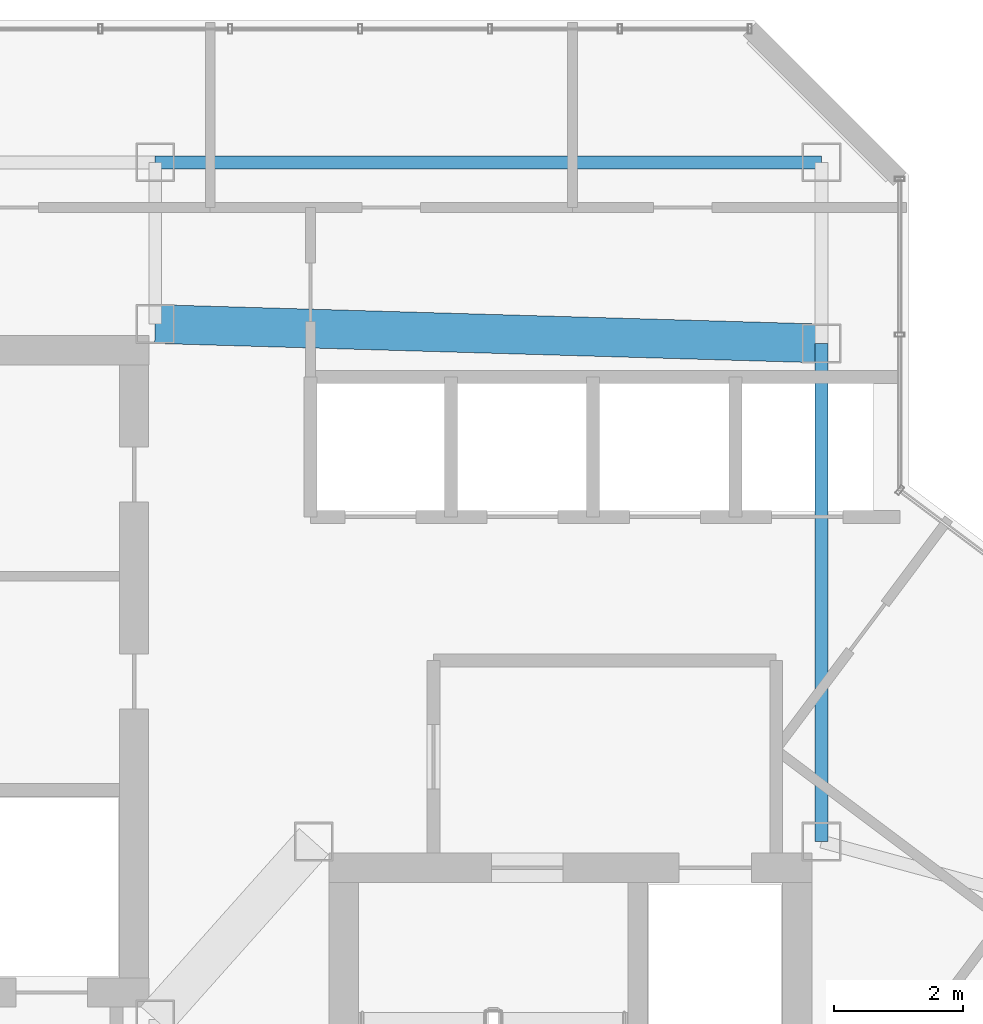
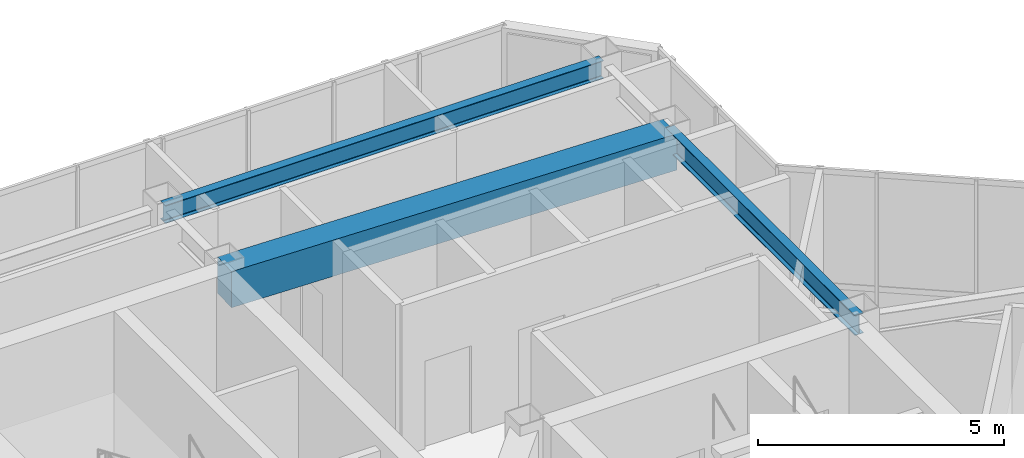
# One storey, part 19 of 31: 3 beams.
"""IFC4 building model written with IfcOpenShell, lengths in metres."""

import ifcopenshell
import ifcopenshell.guid

model = None  # the IFC model being written
_history = None  # IfcOwnerHistory: only IFC2X3 demands one
_inside = {}  # id of a spatial element -> (the spatial element, [elements in it])
_under = {}  # id of a project, library or spatial element -> (it, [spatial elements below it])
_declared = {}  # id of a project -> (the project, [libraries it declares])
_typed = {}  # id of a type object -> (the type object, [elements of that type])
_made_of = {}  # id of a material, layer set ... -> (it, [elements and type objects made of it])


def new_model(schema):
    """Start an empty IFC model of exactly this schema.

    Asked for "IFC4X3", IfcOpenShell would pick the latest addendum, in which some entities
    have other attributes; the version numbers below select the first issue.
    IFC2X3 requires an IfcOwnerHistory on every rooted entity: one is made here for all.
    """
    global model, _history
    if schema == "IFC4X3":
        model = ifcopenshell.file(schema_version=(4, 3, 0, 0))
    else:
        model = ifcopenshell.file(schema=schema)
    _inside.clear()
    _under.clear()
    _declared.clear()
    _typed.clear()
    _made_of.clear()
    _history = None
    if model.schema == "IFC2X3":
        org = make("IfcOrganization", Name="unknown")
        user = make(
            "IfcPersonAndOrganization",
            ThePerson=make("IfcPerson", FamilyName="unknown"),
            TheOrganization=org,
        )
        app = make(
            "IfcApplication",
            ApplicationDeveloper=org,
            Version="unknown",
            ApplicationFullName="unknown",
            ApplicationIdentifier="unknown",
        )
        _history = make(
            "IfcOwnerHistory",
            OwningUser=user,
            OwningApplication=app,
            ChangeAction="ADDED",
            CreationDate=0,
        )
    return model


def make(cls, **values):
    """One entity of the class cls with the attributes given. An attribute that is None is left unset."""
    return model.create_entity(
        cls, **{name: value for name, value in values.items() if value is not None}
    )


def rooted(cls, **values):
    """An entity with a GlobalId (a new one), such as an element, a storey or a relation."""
    return make(cls, GlobalId=ifcopenshell.guid.new(), OwnerHistory=_history, **values)


def si_unit(unit_type, name, prefix=None):
    """IfcSIUnit, for example si_unit("LENGTHUNIT", "METRE", prefix="MILLI")."""
    return make("IfcSIUnit", UnitType=unit_type, Prefix=prefix, Name=name)


def assignment(units):
    """IfcUnitAssignment: the units of a project."""
    return None if units is None else make("IfcUnitAssignment", Units=units)


def point(xyz):
    """IfcCartesianPoint."""
    return None if xyz is None else make("IfcCartesianPoint", Coordinates=xyz)


def direction(xyz):
    """IfcDirection."""
    return None if xyz is None else make("IfcDirection", DirectionRatios=xyz)


def frame(location, z_axis=None, x_axis=None):
    """IfcAxis2Placement3D, a coordinate frame: its origin and axes. An axis left out is left unset."""
    return make(
        "IfcAxis2Placement3D",
        Location=point(location),
        Axis=direction(z_axis),
        RefDirection=direction(x_axis),
    )


def frame_2d(location, x_axis=None):
    """IfcAxis2Placement2D, a coordinate frame in the plane: its origin and x axis."""
    return make(
        "IfcAxis2Placement2D", Location=point(location), RefDirection=direction(x_axis)
    )


def origin():
    """The frame at (0, 0, 0) with its axes left unset."""
    return frame((0.0, 0.0, 0.0))


def origin_2d():
    """The frame at (0, 0) in the plane with its x axis left unset."""
    return frame_2d((0.0, 0.0))


def place(relative_to, where):
    """IfcLocalPlacement: puts the frame where relative to a parent placement (None: the world)."""
    return make(
        "IfcLocalPlacement", PlacementRelTo=relative_to, RelativePlacement=where
    )


def context(
    kind, dimensions, precision=None, world=None, true_north=None, identifier=None
):
    """IfcGeometricRepresentationContext, for example the 3D "Model" context."""
    return make(
        "IfcGeometricRepresentationContext",
        ContextIdentifier=identifier,
        ContextType=kind,
        CoordinateSpaceDimension=dimensions,
        Precision=precision,
        WorldCoordinateSystem=world,
        TrueNorth=true_north,
    )


def subcontext(parent, identifier, kind, view, scale=None):
    """IfcGeometricRepresentationSubContext, for example "Body" below "Model"."""
    return make(
        "IfcGeometricRepresentationSubContext",
        ContextIdentifier=identifier,
        ContextType=kind,
        ParentContext=parent,
        TargetScale=scale,
        TargetView=view,
    )


def project(units=None, contexts=None):
    """IfcProject with its units and contexts."""
    return rooted(
        "IfcProject",
        Name="project",
        RepresentationContexts=contexts,
        UnitsInContext=assignment(units),
    )


def spatial(cls, under=None, at=None, **own):
    """A site, building, storey or space (cls), placed at a placement, below another one or the project."""
    s = rooted(cls, ObjectPlacement=at, **own)
    if under is not None:
        _under.setdefault(under.id(), (under, []))[1].append(s)
    return s


def profile(cls, at=None, kind="AREA", **sizes):
    """A parametric profile (cls). Its sizes go by their IFC names, for example OverallWidth=200.0."""
    return make(cls, ProfileType=kind, Position=at, **sizes)


def rectangle(**sizes):
    """IfcRectangleProfileDef."""
    return profile("IfcRectangleProfileDef", **sizes)


def i_section(**sizes):
    """IfcIShapeProfileDef."""
    return profile("IfcIShapeProfileDef", **sizes)


def extrude(swept, where, along, depth):
    """IfcExtrudedAreaSolid: the profile swept, set in the frame where, extruded along a direction by depth."""
    return make(
        "IfcExtrudedAreaSolid",
        SweptArea=swept,
        Position=where,
        ExtrudedDirection=direction(along),
        Depth=depth,
    )


def shape(context_of_items, identifier, shape_type, items):
    """IfcShapeRepresentation: the items that make up one representation, for example the "Body"."""
    return make(
        "IfcShapeRepresentation",
        ContextOfItems=context_of_items,
        RepresentationIdentifier=identifier,
        RepresentationType=shape_type,
        Items=items,
    )


def material(Name=None, Category=None):
    """IfcMaterial."""
    return make("IfcMaterial", Name=Name, Category=Category)


def material_profile(
    of_material, cross_section, Name=None, Category=None, Priority=None
):
    """IfcMaterialProfile: a cross section and its material."""
    return make(
        "IfcMaterialProfile",
        Name=Name,
        Material=of_material,
        Profile=cross_section,
        Priority=Priority,
        Category=Category,
    )


def profile_set(profiles, Name=None, composite=None):
    """IfcMaterialProfileSet."""
    return make(
        "IfcMaterialProfileSet",
        Name=Name,
        MaterialProfiles=profiles,
        CompositeProfile=composite,
    )


def made_of(thing, what):
    """Note that an element or type object is made of a material, layer set ...; save() writes the relation."""
    if what is not None:
        _made_of.setdefault(what.id(), (what, []))[1].append(thing)
    return thing


def type_object(cls, material=None, **own):
    """A type object (cls), such as IfcWallType, which elements share."""
    return made_of(rooted(cls, **own), material)


def element(
    cls,
    number,
    at=None,
    inside=None,
    cuts=None,
    type_object=None,
    material=None,
    context=None,
    identifier="Body",
    shape_type=None,
    held_by="IfcProductDefinitionShape",
    body=None,
    shapes=None,
    **own,
):
    """One element of the class cls, such as IfcWall. Its Tag is "e" and its number.

    at: its placement. inside: the storey or other place that contains it. cuts: it is an
    opening in that element (IfcRelVoidsElement). A single representation is given by context,
    identifier, shape_type and body (its items); several are given by shapes. held_by: the class
    of the entity that holds the representations. save() writes the other relations.
    """
    e = rooted(cls, Tag="e%d" % number, ObjectPlacement=at, **own)
    if body is not None:
        shapes = [shape(context, identifier, shape_type, body)]
    if shapes is not None:
        e.Representation = make(held_by, Representations=shapes)
    if inside is not None:
        _inside.setdefault(inside.id(), (inside, []))[1].append(e)
    if cuts is not None:
        rooted(
            "IfcRelVoidsElement", RelatingBuildingElement=cuts, RelatedOpeningElement=e
        )
    if type_object is not None:
        _typed.setdefault(type_object.id(), (type_object, []))[1].append(e)
    return made_of(e, material)


def aggregate(whole, parts):
    """IfcRelAggregates: a whole, such as a stair, and the parts it consists of."""
    return rooted("IfcRelAggregates", RelatingObject=whole, RelatedObjects=parts)


def save(model, path):
    """Write the relations noted so far, then the file.

    IfcRelAggregates (storeys below a building ...), IfcRelContainedInSpatialStructure (elements
    in a storey), IfcRelDefinesByType, IfcRelAssociatesMaterial and IfcRelDeclares: one each for
    every whole, place, type object, material and project.
    """
    for whole, parts in _under.values():
        aggregate(whole, parts)
    for where, things in _inside.values():
        rooted(
            "IfcRelContainedInSpatialStructure",
            RelatedElements=things,
            RelatingStructure=where,
        )
    for kind, things in _typed.values():
        rooted("IfcRelDefinesByType", RelatedObjects=things, RelatingType=kind)
    for what, things in _made_of.values():
        rooted("IfcRelAssociatesMaterial", RelatedObjects=things, RelatingMaterial=what)
    for by, libraries in _declared.values():
        rooted("IfcRelDeclares", RelatingContext=by, RelatedDefinitions=libraries)
    model.write(path)


model = new_model("IFC4")

# Units and contexts
model_context = context("Model", 3, precision=1e-05, world=origin(), true_north=direction((0.0, 1.0)))
body_context = subcontext(model_context, "Body", "Model", "MODEL_VIEW")
ifc_project = project(units=[si_unit("LENGTHUNIT", "METRE"), si_unit("AREAUNIT", "SQUARE_METRE"), si_unit("VOLUMEUNIT", "CUBIC_METRE"), si_unit("PLANEANGLEUNIT", "RADIAN"), si_unit("MASSUNIT", "GRAM", prefix="KILO")], contexts=[model_context])

# Site, building, storey
site_placement = place(None, origin())
site = spatial("IfcSite", under=ifc_project, at=site_placement, CompositionType="ELEMENT")
building_placement = place(site_placement, origin())
building = spatial("IfcBuilding", under=site, at=building_placement, Name="Hatsunagi Terrace Concourse", CompositionType="ELEMENT")
storey_placement = place(building_placement, frame((0.0, 0.0, 269.949951171875)))
storey = spatial("IfcBuildingStorey", under=building, at=storey_placement, Name="L71", CompositionType="ELEMENT", Elevation=269.949951171875)

# Beams
ifc_material_1 = material(Name="Concrete Fc42", Category="concrete")
ifc_material_profile_1 = material_profile(ifc_material_1, rectangle(XDim=0.60009765625, YDim=0.89990234375, at=origin_2d()), Name="RC-600x900")
ifc_profile_set_1 = profile_set([ifc_material_profile_1], Name="Concrete Fc42")
beam_type_1 = type_object("IfcBeamType", Name="CoreCouplingBeam_RC_600x900", PredefinedType="BEAM", material=ifc_profile_set_1)
beam_1_placement = place(storey_placement, frame((33.35009765625, 43.300048828125, 3.300048828125), z_axis=(0.999575947545, -0.029119153303, 0.0), x_axis=(0.029119153303, 0.999575947545, 0.0)))
element("IfcBeam", 1, at=beam_1_placement, inside=storey, type_object=beam_type_1, Name="Beam CB-03 CB-L71-2", PredefinedType="BEAM", context=body_context, shape_type="SweptSolid", body=[
    extrude(rectangle(XDim=0.60009765625, YDim=0.89990234375, at=origin_2d()), origin(), (0.0, 0.0, 1.0), 10.30419921875),
])
ifc_material_2 = material(Name="Steel SN490B", Category="steel")
ifc_material_profile_2 = material_profile(ifc_material_2, i_section(OverallWidth=0.199951171875, OverallDepth=0.5, WebThickness=0.010009765625, FlangeThickness=0.01611328125, FilletRadius=0.01611328125, at=origin_2d()), Name="H-500x200x10x16")
ifc_profile_set_2 = profile_set([ifc_material_profile_2], Name="Steel SN490B")
beam_type_2 = type_object("IfcBeamType", Name="CrownFloorGirder_H_500x200", PredefinedType="BEAM", material=ifc_profile_set_2)
beam_2_placement = place(storey_placement, frame((43.64990234375, 35.300048828125, 3.5), z_axis=(0.0, 1.0, 0.0), x_axis=(-1.0, 0.0, 0.0)))
element("IfcBeam", 2, at=beam_2_placement, inside=storey, type_object=beam_type_2, Name="Beam G-07 BM-L71-CBK3", PredefinedType="BEAM", context=body_context, shape_type="SweptSolid", body=[
    extrude(i_section(OverallWidth=0.199951171875, OverallDepth=0.5, WebThickness=0.010009765625, FlangeThickness=0.01611328125, FilletRadius=0.01611328125, at=origin_2d()), origin(), (0.0, 0.0, 1.0), 7.699951171875),
])
ifc_material_3 = material(Name="Steel SN490B", Category="steel")
ifc_material_profile_3 = material_profile(ifc_material_3, i_section(OverallWidth=0.199951171875, OverallDepth=0.449951171875, WebThickness=0.009033203125, FlangeThickness=0.013916015625, FilletRadius=0.01611328125, at=origin_2d()), Name="H-450x200x9x14")
ifc_profile_set_3 = profile_set([ifc_material_profile_3], Name="Steel SN490B")
beam_type_3 = type_object("IfcBeamType", Name="PerimeterSpandrel_H_450x200", PredefinedType="SPANDREL", material=ifc_profile_set_3)
beam_3_placement = place(storey_placement, frame((33.35009765625, 45.800048828125, 3.525146484375), z_axis=(1.0, 0.0, 0.0), x_axis=(0.0, 1.0, 0.0)))
element("IfcBeam", 3, at=beam_3_placement, inside=storey, type_object=beam_type_3, Name="Beam SP-02 BM-L71-CNEW2", PredefinedType="SPANDREL", context=body_context, shape_type="SweptSolid", body=[
    extrude(i_section(OverallWidth=0.199951171875, OverallDepth=0.449951171875, WebThickness=0.009033203125, FlangeThickness=0.013916015625, FilletRadius=0.01611328125, at=origin_2d()), origin(), (0.0, 0.0, 1.0), 10.2998046875),
])

save(model, "model.ifc")
